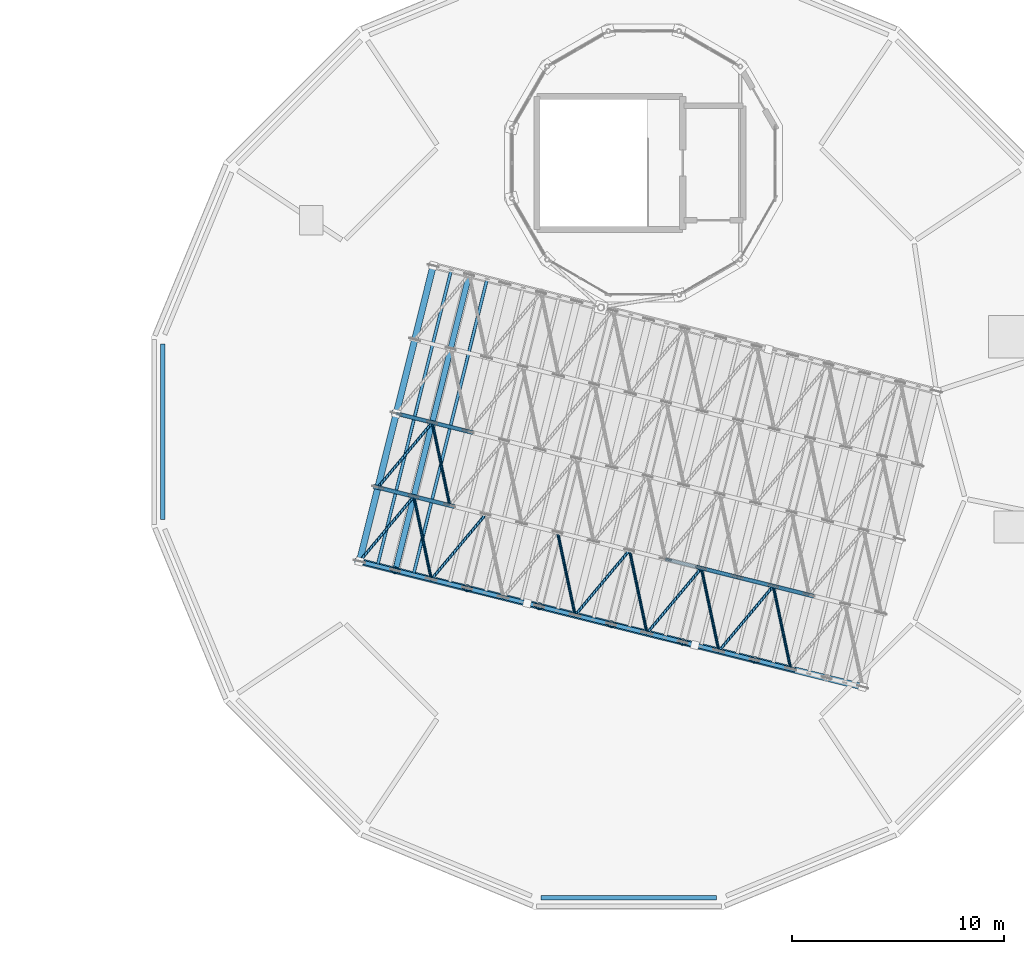
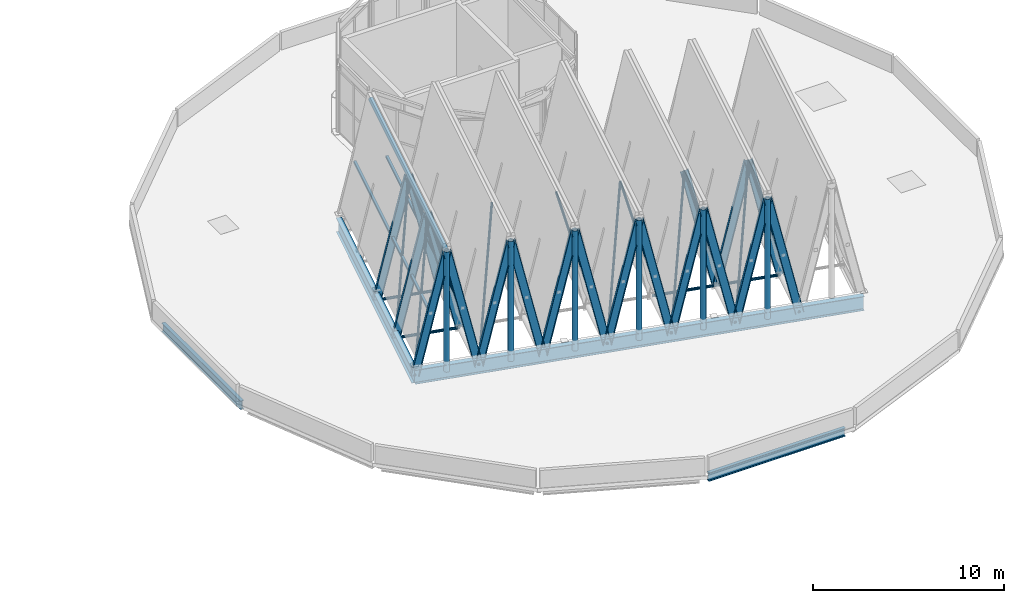
# One storey, part 11 of 51: 44 members, 4 beams.
"""IFC4 building model written with IfcOpenShell, lengths in metres."""

from ifc_helpers import new_model, si_unit, direction, frame, origin, origin_2d, place, context, subcontext, project, spatial, hollow_rectangle, hollow_circle, i_section, extrude, material, material_profile, profile_set, type_object, element, save


model = new_model("IFC4")

# Units and contexts
model_context = context("Model", 3, precision=1e-05, world=origin(), true_north=direction((0.0, 1.0)))
body_context = subcontext(model_context, "Body", "Model", "MODEL_VIEW")
ifc_project = project(units=[si_unit("LENGTHUNIT", "METRE"), si_unit("AREAUNIT", "SQUARE_METRE"), si_unit("VOLUMEUNIT", "CUBIC_METRE"), si_unit("PLANEANGLEUNIT", "RADIAN"), si_unit("MASSUNIT", "GRAM", prefix="KILO")], contexts=[model_context])

# Site, building, storey
site_placement = place(None, origin())
site = spatial("IfcSite", under=ifc_project, at=site_placement, CompositionType="ELEMENT")
building_placement = place(site_placement, origin())
building = spatial("IfcBuilding", under=site, at=building_placement, Name="Wrenclough Park School", CompositionType="ELEMENT")
storey_placement = place(building_placement, frame((0.0, 0.0, 16.800048828125)))
storey = spatial("IfcBuildingStorey", under=building, at=storey_placement, Name="L04", CompositionType="ELEMENT", Elevation=16.800048828125)

# Beams
ifc_material = material(Name="Structural steel S355", Category="steel")
ifc_material_profile_1 = material_profile(ifc_material, i_section(OverallWidth=0.210693359375, OverallDepth=0.53955078125, WebThickness=0.01171875, FlangeThickness=0.018798828125, FilletRadius=0.0126953125, at=origin_2d()), Name="UKB 533x210x109")
ifc_profile_set_1 = profile_set([ifc_material_profile_1], Name="Structural steel S355")
beam_type_1 = type_object("IfcBeamType", Name="STR-BM-UKB533B", PredefinedType="SPANDREL", material=ifc_profile_set_1)
for number, where, z_axis, x_axis, name in (
    (1, (133.4814453125, 30.639892578125, -0.49462890625), (0.0, -1.0, 0.0), (1.0, 0.0, 0.0), "D1 L04 outer ring spandrel beam 8"),
    (2, (151.360107421875, 4.4814453125, -0.49462890625), (1.0, 0.0, 0.0), (0.0, 1.0, 0.0), "D1 L04 outer ring spandrel beam 12"),
):
    element("IfcBeam", number, at=place(storey_placement, frame(where, z_axis=z_axis, x_axis=x_axis)), inside=storey, type_object=beam_type_1, Name=name, PredefinedType="SPANDREL", context=body_context, shape_type="SweptSolid", body=[
        extrude(i_section(OverallWidth=0.210693359375, OverallDepth=0.53955078125, WebThickness=0.01171875, FlangeThickness=0.018798828125, FilletRadius=0.0126953125, at=origin_2d()), origin(), (0.0, 0.0, 1.0), 8.27978515625),
    ])
ifc_material_profile_2 = material_profile(ifc_material, i_section(OverallWidth=0.30419921875, OverallDepth=0.910400390625, WebThickness=0.015869140625, FlangeThickness=0.02392578125, FilletRadius=0.01904296875, at=origin_2d()), Name="UKB 914x305x224")
ifc_profile_set_2 = profile_set([ifc_material_profile_2], Name="Structural steel S355")
beam_type_2 = type_object("IfcBeamType", Name="STR-BM-UKB914", PredefinedType="BEAM", material=ifc_profile_set_2)
beam_1_placement = place(storey_placement, frame((142.77197265625, 20.37744140625, -0.68017578125), z_axis=(0.970294128552, -0.241928303632, 0.0), x_axis=(0.241928303632, 0.970294128552, 0.0)))
element("IfcBeam", 3, at=beam_1_placement, inside=storey, type_object=beam_type_2, Name="D1 folded-plate roof ring beam 1", PredefinedType="BEAM", context=body_context, shape_type="SweptSolid", body=[
    extrude(i_section(OverallWidth=0.30419921875, OverallDepth=0.910400390625, WebThickness=0.015869140625, FlangeThickness=0.02392578125, FilletRadius=0.01904296875, at=origin_2d()), origin(), (0.0, 0.0, 1.0), 24.5),
])
beam_2_placement = place(storey_placement, frame((146.255615234375, 34.349609375, -0.68017578125), z_axis=(-0.241921231535, -0.970295891846, 0.0), x_axis=(0.970295891846, -0.241921231535, 0.0)))
element("IfcBeam", 4, at=beam_2_placement, inside=storey, type_object=beam_type_2, Name="D1 folded-plate roof ring beam 4", PredefinedType="BEAM", context=body_context, shape_type="SweptSolid", body=[
    extrude(i_section(OverallWidth=0.30419921875, OverallDepth=0.910400390625, WebThickness=0.015869140625, FlangeThickness=0.02392578125, FilletRadius=0.01904296875, at=origin_2d()), origin(), (0.0, 0.0, 1.0), 14.39990234375),
])

# Members
ifc_material_profile_3 = material_profile(ifc_material, hollow_circle(Radius=0.06982421875, WallThickness=0.008056640625, at=origin_2d()), Name="CHS 139.7x8.0")
ifc_profile_set_3 = profile_set([ifc_material_profile_3], Name="Structural steel S355")
member_type_1 = type_object("IfcMemberType", Name="STR-MEM-BRACE1", PredefinedType="BRACE", material=ifc_profile_set_3)
for number, where, z_axis, x_axis, name in (
    (5, (142.77197265625, 20.37744140625, -0.68017578125), (0.296563893332, 0.354337910374, 0.886845252816), (-0.766854708709, 0.641820734887, 0.0), "D1 folded-plane diagonal brace 1.1L"),
    (6, (146.168212890625, 19.53076171875, -0.68017578125), (-0.095482951878, 0.452078521568, 0.88685287181), (-0.978414967241, -0.206649829126, 0.0), "D1 folded-plane diagonal brace 1.1R"),
    (7, (143.64306640625, 23.87060546875, -0.68017578125), (0.296538189213, 0.35434087179, 0.886852664718), (-0.766884728376, 0.641784865344, 0.0), "D1 folded-plane diagonal brace 1.2L"),
    (8, (147.0390625, 23.023681640625, -0.68017578125), (-0.095481735335, 0.452100943992, 0.886841572469), (-0.978417571733, -0.206637497384, 0.0), "D1 folded-plane diagonal brace 1.2R"),
    (9, (146.168212890625, 19.53076171875, -0.68017578125), (0.296538189213, 0.35434087179, 0.886852664718), (-0.766884728376, 0.641784865344, 0.0), "D1 folded-plane diagonal brace 2.1L"),
    (10, (152.960205078125, 17.837158203125, -0.68017578125), (-0.095481735335, 0.452100943992, 0.886841572469), (-0.978417571733, -0.206637497384, 0.0), "D1 folded-plane diagonal brace 3.1R"),
    (11, (152.960205078125, 17.837158203125, -0.68017578125), (0.296535227827, 0.354365515558, 0.886843808142), (-0.766909849533, 0.641754846253, 0.0), "D1 folded-plane diagonal brace 4.1L"),
    (12, (156.356201171875, 16.990478515625, -0.68017578125), (-0.095481735335, 0.452100943992, 0.886841572469), (-0.978417571733, -0.206637497384, 0.0), "D1 folded-plane diagonal brace 4.1R"),
    (13, (156.356201171875, 16.990478515625, -0.68017578125), (0.296535227827, 0.354365515558, 0.886843808142), (-0.766909849533, 0.641754846253, 0.0), "D1 folded-plane diagonal brace 5.1L"),
    (14, (159.752197265625, 16.143798828125, -0.68017578125), (-0.095481735335, 0.452100943992, 0.886841572469), (-0.978417571733, -0.206637497384, 0.0), "D1 folded-plane diagonal brace 5.1R"),
    (15, (159.752197265625, 16.143798828125, -0.68017578125), (0.296563893332, 0.354337910374, 0.886845252816), (-0.766854708709, 0.641820734887, 0.0), "D1 folded-plane diagonal brace 6.1L"),
    (16, (163.148193359375, 15.297119140625, -0.68017578125), (-0.095455026017, 0.452079737922, 0.886855257959), (-0.978427298117, -0.20659143811, 0.0), "D1 folded-plane diagonal brace 6.1R"),
):
    element("IfcMember", number, at=place(storey_placement, frame(where, z_axis=z_axis, x_axis=x_axis)), inside=storey, type_object=member_type_1, Name=name, PredefinedType="BRACE", context=body_context, shape_type="SweptSolid", body=[
        extrude(hollow_circle(Radius=0.06982421875, WallThickness=0.008056640625, at=origin_2d()), origin(), (0.0, 0.0, 1.0), 8.662841796875),
    ])
ifc_material_profile_4 = material_profile(ifc_material, hollow_circle(Radius=0.084228515625, WallThickness=0.010009765625, at=origin_2d()), Name="CHS 168.3x10.0")
ifc_profile_set_4 = profile_set([ifc_material_profile_4], Name="Structural steel S355")
member_type_2 = type_object("IfcMemberType", Name="STR-MEM-BRACE2", PredefinedType="BRACE", material=ifc_profile_set_4)
for number, where, z_axis, x_axis, name in (
    (17, (143.64306640625, 23.87060546875, -0.68017578125), (0.970281848186, -0.24197755078, 0.0), (0.24197755078, 0.970281848186, 0.0), "D1 bay 1 frame 2 tie member"),
    (18, (144.513916015625, 27.363525390625, -0.68017578125), (0.970298223594, -0.241911879182, 0.0), (0.241911879182, 0.970298223594, 0.0), "D1 bay 1 frame 3 tie member"),
    (19, (157.22705078125, 20.483642578125, -0.68017578125), (0.970281848186, -0.24197755078, 0.0), (0.24197755078, 0.970281848186, 0.0), "D1 bay 5 frame 2 tie member"),
):
    element("IfcMember", number, at=place(storey_placement, frame(where, z_axis=z_axis, x_axis=x_axis)), inside=storey, type_object=member_type_2, Name=name, PredefinedType="BRACE", context=body_context, shape_type="SweptSolid", body=[
        extrude(hollow_circle(Radius=0.084228515625, WallThickness=0.010009765625, at=origin_2d()), origin(), (0.0, 0.0, 1.0), 3.5),
    ])
member_1_placement = place(storey_placement, frame((160.623046875, 19.63671875, -0.68017578125), z_axis=(0.970302305363, -0.241895506793, 0.0), x_axis=(0.241895506793, 0.970302305363, 0.0)))
element("IfcMember", 20, at=member_1_placement, inside=storey, type_object=member_type_2, Name="D1 bay 6 frame 2 tie member", PredefinedType="BRACE", context=body_context, shape_type="SweptSolid", body=[
    extrude(hollow_circle(Radius=0.084228515625, WallThickness=0.010009765625, at=origin_2d()), origin(), (0.0, 0.0, 1.0), 3.500244140625),
])
ifc_material_profile_5 = material_profile(ifc_material, hollow_circle(Radius=0.136474609375, WallThickness=0.012451171875, at=origin_2d()), Name="CHS 273.0x12.5")
ifc_profile_set_5 = profile_set([ifc_material_profile_5], Name="Structural steel S355")
member_type_3 = type_object("IfcMemberType", Name="STR-MEM-CHORD1", PredefinedType="CHORD", material=ifc_profile_set_5)
member_2_placement = place(storey_placement, frame((144.47021484375, 19.9541015625, 7.00244140625), z_axis=(0.241905269381, 0.970299871507, 0.0), x_axis=(-0.970299871507, 0.241905269381, 0.0)))
element("IfcMember", 21, at=member_2_placement, inside=storey, type_object=member_type_3, Name="D1 folded-plate ridge chord 1", PredefinedType="CHORD", context=body_context, shape_type="SweptSolid", body=[
    extrude(hollow_circle(Radius=0.136474609375, WallThickness=0.012451171875, at=origin_2d()), origin(), (0.0, 0.0, 1.0), 14.39990234375),
])
ifc_material_profile_6 = material_profile(ifc_material, hollow_circle(Radius=0.161865234375, WallThickness=0.01611328125, at=origin_2d()), Name="CHS 323.9x16.0")
ifc_profile_set_6 = profile_set([ifc_material_profile_6], Name="Structural steel S355")
member_type_4 = type_object("IfcMemberType", Name="STR-MEM-CHORD2", PredefinedType="CHORD", material=ifc_profile_set_6)
for number, where, z_axis, x_axis, name in (
    (22, (144.47021484375, 19.9541015625, -0.68017578125), (0.0, 0.0, 1.0), (1.0, 0.0, 0.0), "D1 folded-plate gable king-post 1S"),
    (23, (147.8662109375, 19.107421875, -0.68017578125), (0.0, 0.0, 1.0), (1.0, 0.0, 0.0), "D1 folded-plate gable king-post 2S"),
    (24, (151.26220703125, 18.260498046875, -0.68017578125), (0.0, 0.0, 1.0), (1.0, 0.0, 0.0), "D1 folded-plate gable king-post 3S"),
    (25, (154.658203125, 17.413818359375, -0.68017578125), (0.0, 0.0, 1.0), (1.0, 0.0, 0.0), "D1 folded-plate gable king-post 4S"),
    (26, (158.05419921875, 16.567138671875, -0.68017578125), (0.0, 0.0, 1.0), (1.0, 0.0, 0.0), "D1 folded-plate gable king-post 5S"),
    (27, (161.4501953125, 15.720458984375, -0.68017578125), (0.0, 0.0, 1.0), (1.0, 0.0, 0.0), "D1 folded-plate gable king-post 6S"),
):
    element("IfcMember", number, at=place(storey_placement, frame(where, z_axis=z_axis, x_axis=x_axis)), inside=storey, type_object=member_type_4, Name=name, PredefinedType="CHORD", context=body_context, shape_type="SweptSolid", body=[
        extrude(hollow_circle(Radius=0.161865234375, WallThickness=0.01611328125, at=origin_2d()), origin(), (0.0, 0.0, 1.0), 7.6826171875),
    ])
ifc_material_profile_7 = material_profile(ifc_material, hollow_rectangle(XDim=0.14990234375, YDim=0.14990234375, WallThickness=0.008056640625, InnerFilletRadius=0.008056640625, OuterFilletRadius=0.011962890625, at=origin_2d()), Name="SHS 150x150x8.0")
ifc_profile_set_7 = profile_set([ifc_material_profile_7], Name="Structural steel S355")
member_type_5 = type_object("IfcMemberType", Name="STR-MEM-PURLIN1", PredefinedType="PURLIN", material=ifc_profile_set_7)
for number, where, z_axis, x_axis, name in (
    (28, (143.62109375, 20.165771484375, 3.1611328125), (0.241921231535, 0.970295891846, 0.0), (-0.970295891846, 0.241921231535, 0.0), "D1 folded-plate purlin 1L"),
    (29, (145.319091796875, 19.742431640625, 3.1611328125), (0.241921231535, 0.970295891846, 0.0), (-0.970295891846, 0.241921231535, 0.0), "D1 folded-plate purlin 1R"),
):
    element("IfcMember", number, at=place(storey_placement, frame(where, z_axis=z_axis, x_axis=x_axis)), inside=storey, type_object=member_type_5, Name=name, PredefinedType="PURLIN", context=body_context, shape_type="SweptSolid", body=[
        extrude(hollow_rectangle(XDim=0.14990234375, YDim=0.14990234375, WallThickness=0.008056640625, InnerFilletRadius=0.008056640625, OuterFilletRadius=0.011962890625, at=origin_2d()), origin(), (0.0, 0.0, 1.0), 14.39990234375),
    ])
ifc_material_profile_8 = material_profile(ifc_material, i_section(OverallWidth=0.19140625, OverallDepth=0.4599609375, WebThickness=0.010009765625, FlangeThickness=0.01611328125, FilletRadius=0.01025390625, at=origin_2d()), Name="UKB 457x191x82")
ifc_profile_set_8 = profile_set([ifc_material_profile_8], Name="Structural steel S355")
member_type_6 = type_object("IfcMemberType", Name="STR-MEM-RAFTER1", PredefinedType="RAFTER", material=ifc_profile_set_8)
for number, where, z_axis, x_axis, name in (
    (30, (142.77197265625, 20.37744140625, -0.68017578125), (0.215527806864, -0.053727029486, 0.975018548937), (0.241879136551, 0.970306386303, 0.0), "D1 bay 1 frame 1 west rafter"),
    (31, (144.47021484375, 19.9541015625, 7.00244140625), (0.215498261419, -0.053727388253, -0.975025059717), (0.241911879182, 0.970298223594, 0.0), "D1 bay 1 frame 1 east rafter"),
    (32, (143.64306640625, 23.87060546875, -0.68017578125), (0.215497902571, -0.053758283388, 0.975023436105), (0.242043219053, 0.970265468885, 0.0), "D1 bay 1 frame 2 west rafter"),
    (33, (145.341064453125, 23.447021484375, 7.00244140625), (0.215498261419, -0.053727388253, -0.975025059717), (0.241911879182, 0.970298223594, 0.0), "D1 bay 1 frame 2 east rafter"),
    (34, (144.513916015625, 27.363525390625, -0.68017578125), (0.215498261419, -0.053727388253, 0.975025059717), (0.241911879182, 0.970298223594, 0.0), "D1 bay 1 frame 3 west rafter"),
    (35, (146.2119140625, 26.940185546875, 7.00244140625), (0.215498261419, -0.053727388253, -0.975025059717), (0.241911879182, 0.970298223594, 0.0), "D1 bay 1 frame 3 east rafter"),
    (36, (146.168212890625, 19.53076171875, -0.68017578125), (0.215498261419, -0.053727388253, 0.975025059717), (0.241911879182, 0.970298223594, 0.0), "D1 bay 2 frame 1 west rafter"),
    (37, (147.8662109375, 19.107421875, 7.00244140625), (0.215498261419, -0.053727388253, -0.975025059717), (0.241911879182, 0.970298223594, 0.0), "D1 bay 2 frame 1 east rafter"),
    (38, (149.564208984375, 18.68408203125, -0.68017578125), (0.215497902571, -0.053758283388, 0.975023436105), (0.242043219053, 0.970265468885, 0.0), "D1 bay 3 frame 1 west rafter"),
    (39, (151.26220703125, 18.260498046875, 7.00244140625), (0.215498261419, -0.053727388253, -0.975025059717), (0.241911879182, 0.970298223594, 0.0), "D1 bay 3 frame 1 east rafter"),
    (40, (152.960205078125, 17.837158203125, -0.68017578125), (0.215498261419, -0.053727388253, 0.975025059717), (0.241911879182, 0.970298223594, 0.0), "D1 bay 4 frame 1 west rafter"),
    (41, (154.658203125, 17.413818359375, 7.00244140625), (0.215498261419, -0.053727388253, -0.975025059717), (0.241911879182, 0.970298223594, 0.0), "D1 bay 4 frame 1 east rafter"),
    (42, (156.356201171875, 16.990478515625, -0.68017578125), (0.215498261419, -0.053727388253, 0.975025059717), (0.241911879182, 0.970298223594, 0.0), "D1 bay 5 frame 1 west rafter"),
    (43, (158.05419921875, 16.567138671875, 7.00244140625), (0.215498261419, -0.053727388253, -0.975025059717), (0.241911879182, 0.970298223594, 0.0), "D1 bay 5 frame 1 east rafter"),
    (44, (158.925048828125, 20.060302734375, 7.00244140625), (0.215497902571, -0.053758283388, -0.975023436105), (0.242043219053, 0.970265468885, 0.0), "D1 bay 5 frame 2 east rafter"),
    (45, (159.752197265625, 16.143798828125, -0.68017578125), (0.215498261419, -0.053727388253, 0.975025059717), (0.241911879182, 0.970298223594, 0.0), "D1 bay 6 frame 1 west rafter"),
    (46, (161.4501953125, 15.720458984375, 7.00244140625), (0.215498261419, -0.053727388253, -0.975025059717), (0.241911879182, 0.970298223594, 0.0), "D1 bay 6 frame 1 east rafter"),
    (47, (160.623046875, 19.63671875, -0.68017578125), (0.215527806864, -0.053727029486, 0.975018548937), (0.241879136551, 0.970306386303, 0.0), "D1 bay 6 frame 2 west rafter"),
    (48, (162.3212890625, 19.21337890625, 7.00244140625), (0.215498261419, -0.053727388253, -0.975025059717), (0.241911879182, 0.970298223594, 0.0), "D1 bay 6 frame 2 east rafter"),
):
    element("IfcMember", number, at=place(storey_placement, frame(where, z_axis=z_axis, x_axis=x_axis)), inside=storey, type_object=member_type_6, Name=name, PredefinedType="RAFTER", context=body_context, shape_type="SweptSolid", body=[
        extrude(i_section(OverallWidth=0.19140625, OverallDepth=0.4599609375, WebThickness=0.010009765625, FlangeThickness=0.01611328125, FilletRadius=0.01025390625, at=origin_2d()), origin(), (0.0, 0.0, 1.0), 7.87939453125),
    ])

save(model, "model.ifc")
